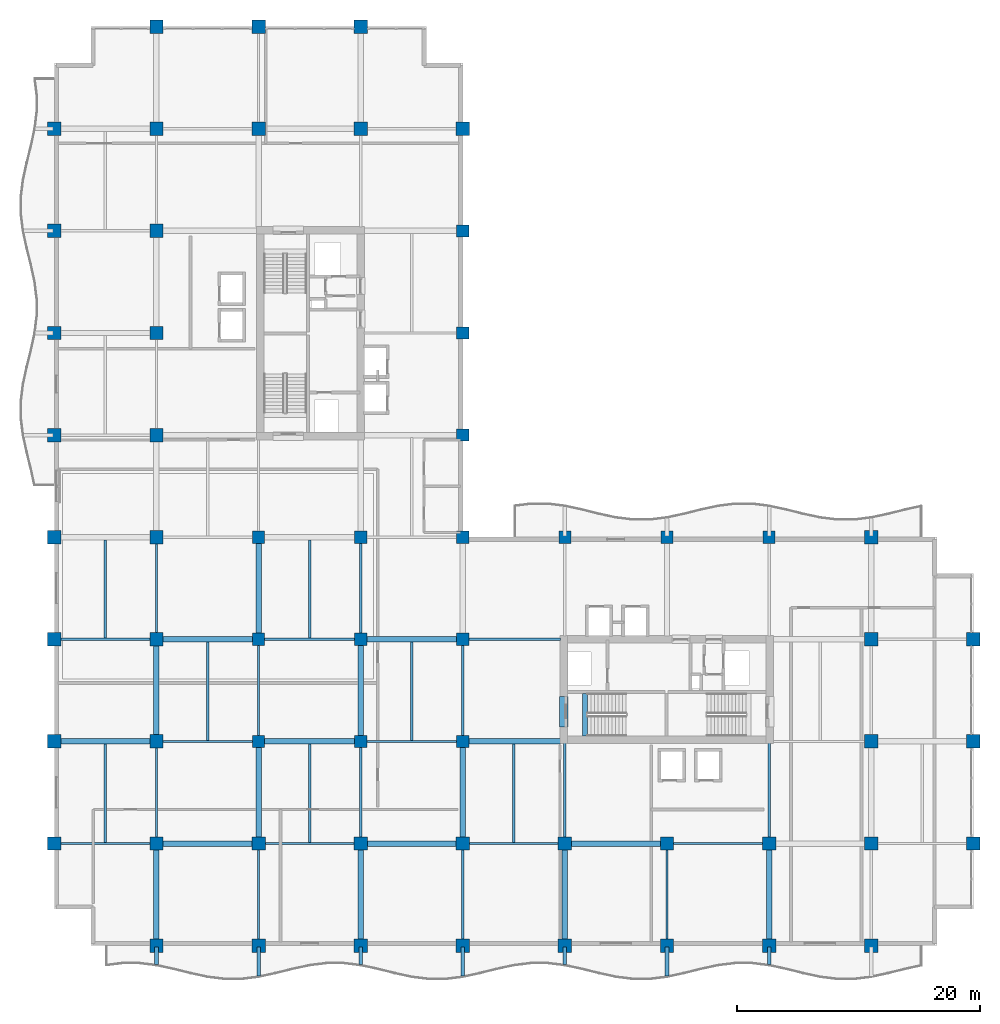
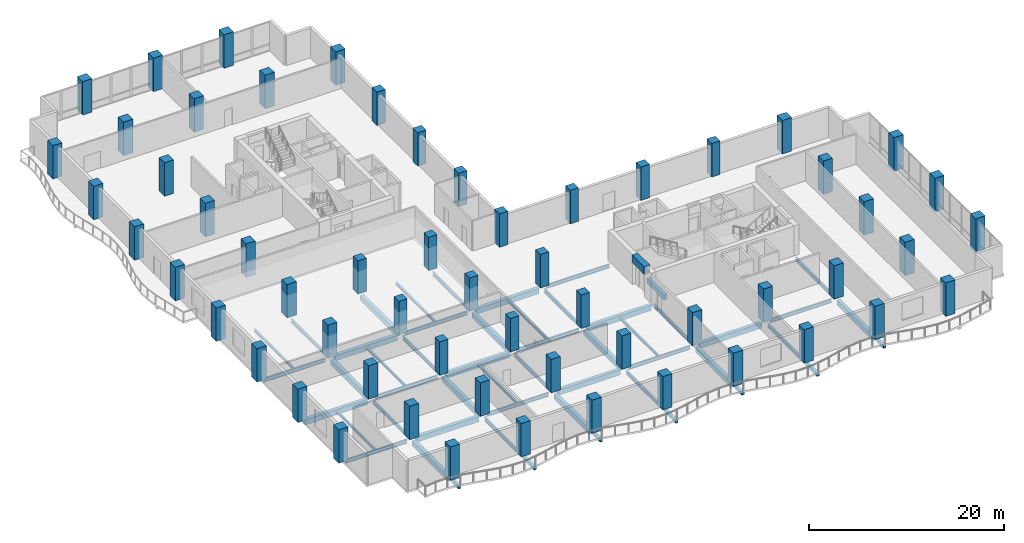
# One storey, part 1 of 21: 58 columns, 53 beams.
"""IFC4 building model written with IfcOpenShell, lengths in metres."""

from ifc_helpers import new_model, si_unit, direction, frame, origin, origin_2d, place, context, subcontext, project, spatial, rectangle, i_section, extrude, material, material_profile, profile_set, type_object, element, save


model = new_model("IFC4")

# Units and contexts
model_context = context("Model", 3, precision=1e-05, world=origin(), true_north=direction((0.0, 1.0)))
body_context = subcontext(model_context, "Body", "Model", "MODEL_VIEW")
ifc_project = project(units=[si_unit("LENGTHUNIT", "METRE"), si_unit("AREAUNIT", "SQUARE_METRE"), si_unit("VOLUMEUNIT", "CUBIC_METRE"), si_unit("PLANEANGLEUNIT", "RADIAN"), si_unit("MASSUNIT", "GRAM", prefix="KILO")], contexts=[model_context])

# Site, building, storey
site_placement = place(None, origin())
site = spatial("IfcSite", under=ifc_project, at=site_placement, CompositionType="ELEMENT")
building_placement = place(site_placement, origin())
building = spatial("IfcBuilding", under=site, at=building_placement, Name="Koriwani Terraces Tower", CompositionType="ELEMENT")
storey_placement = place(building_placement, frame((0.0, 0.0, 224.0)))
storey = spatial("IfcBuildingStorey", under=building, at=storey_placement, Name="L55", CompositionType="ELEMENT", Elevation=224.0)

# Columns
ifc_material_1 = material(Name="Concrete C50/60", Category="concrete")
ifc_material_profile_1 = material_profile(ifc_material_1, rectangle(XDim=1.0, YDim=1.0, at=origin_2d()), Name="Concrete C50/60", Category="LoadBearing")
ifc_profile_set_1 = profile_set([ifc_material_profile_1], Name="Concrete C50/60")
column_type_1 = type_object("IfcColumnType", Name="COL_RC_1000X1000", PredefinedType="COLUMN", material=ifc_profile_set_1)
for number, where, z_axis, x_axis, name in (
    (1, (16.800048828125, 16.800048828125, 0.0), (0.0, 0.0, 1.0), (1.0, 0.0, 0.0), "L55 Column 3/C"),
    (2, (16.800048828125, 25.199951171875, 0.0), (0.0, 0.0, 1.0), (1.0, 0.0, 0.0), "L55 Column 3/D"),
    (3, (16.800048828125, 33.60009765625, 0.0), (0.0, 0.0, 1.0), (1.0, 0.0, 0.0), "L55 Column 3/E"),
    (4, (25.199951171875, 16.800048828125, 0.0), (0.0, 0.0, 1.0), (1.0, 0.0, 0.0), "L55 Column 4/C"),
    (5, (25.199951171875, 25.199951171875, 0.0), (0.0, 0.0, 1.0), (1.0, 0.0, 0.0), "L55 Column 4/D"),
    (6, (25.199951171875, 33.60009765625, 0.0), (0.0, 0.0, 1.0), (1.0, 0.0, 0.0), "L55 Column 4/E"),
    (7, (33.60009765625, 16.800048828125, 0.0), (0.0, 0.0, 1.0), (1.0, 0.0, 0.0), "L55 Column 5/C"),
    (8, (33.60009765625, 25.199951171875, 0.0), (0.0, 0.0, 1.0), (1.0, 0.0, 0.0), "L55 Column 5/D"),
    (9, (33.60009765625, 33.60009765625, 0.0), (0.0, 0.0, 1.0), (1.0, 0.0, 0.0), "L55 Column 5/E"),
    (10, (33.60009765625, 42.0, 0.0), (0.0, 0.0, 1.0), (1.0, 0.0, 0.0), "L55 Column 5/F"),
    (11, (33.60009765625, 50.39990234375, 0.0), (0.0, 0.0, 1.0), (1.0, 0.0, 0.0), "L55 Column 5/G"),
    (12, (33.60009765625, 58.800048828125, 0.0), (0.0, 0.0, 1.0), (1.0, 0.0, 0.0), "L55 Column 5/H"),
    (13, (42.0, 33.60009765625, 0.0), (0.0, 0.0, 1.0), (1.0, 0.0, 0.0), "L55 Column 6/E"),
    (14, (50.39990234375, 33.60009765625, 0.0), (0.0, 0.0, 1.0), (1.0, 0.0, 0.0), "L55 Column 7/E"),
    (15, (58.800048828125, 33.60009765625, 0.0), (0.0, 0.0, 1.0), (1.0, 0.0, 0.0), "L55 Column 8/E"),
):
    element("IfcColumn", number, at=place(storey_placement, frame(where, z_axis=z_axis, x_axis=x_axis)), inside=storey, type_object=column_type_1, Name=name, PredefinedType="COLUMN", context=body_context, shape_type="SweptSolid", body=[
        extrude(rectangle(XDim=1.0, YDim=1.0, at=origin_2d()), origin(), (0.0, 0.0, 1.0), 4.199951171875),
    ])
ifc_material_profile_2 = material_profile(ifc_material_1, rectangle(XDim=1.10009765625, YDim=1.10009765625, at=origin_2d()), Name="Concrete C50/60", Category="LoadBearing")
ifc_profile_set_2 = profile_set([ifc_material_profile_2], Name="Concrete C50/60")
column_type_2 = type_object("IfcColumnType", Name="COL_RC_1100X1100", PredefinedType="COLUMN", material=ifc_profile_set_2)
for number, where, z_axis, x_axis, name in (
    (16, (0.0, 8.39990234375, 0.0), (0.0, 0.0, 1.0), (1.0, 0.0, 0.0), "L55 Column 1/B"),
    (17, (0.0, 16.800048828125, 0.0), (0.0, 0.0, 1.0), (1.0, 0.0, 0.0), "L55 Column 1/C"),
    (18, (0.0, 25.199951171875, 0.0), (0.0, 0.0, 1.0), (1.0, 0.0, 0.0), "L55 Column 1/D"),
    (19, (0.0, 33.60009765625, 0.0), (0.0, 0.0, 1.0), (1.0, 0.0, 0.0), "L55 Column 1/E"),
    (20, (0.0, 42.0, 0.0), (0.0, 0.0, 1.0), (1.0, 0.0, 0.0), "L55 Column 1/F"),
    (21, (0.0, 50.39990234375, 0.0), (0.0, 0.0, 1.0), (1.0, 0.0, 0.0), "L55 Column 1/G"),
    (22, (0.0, 58.800048828125, 0.0), (0.0, 0.0, 1.0), (1.0, 0.0, 0.0), "L55 Column 1/H"),
    (23, (0.0, 67.199951171875, 0.0), (0.0, 0.0, 1.0), (1.0, 0.0, 0.0), "L55 Column 1/I"),
    (24, (8.39990234375, 0.0, 0.0), (0.0, 0.0, 1.0), (1.0, 0.0, 0.0), "L55 Column 2/A"),
    (25, (8.39990234375, 8.39990234375, 0.0), (0.0, 0.0, 1.0), (1.0, 0.0, 0.0), "L55 Column 2/B"),
    (26, (8.39990234375, 16.800048828125, 0.0), (0.0, 0.0, 1.0), (1.0, 0.0, 0.0), "L55 Column 2/C"),
    (27, (8.39990234375, 25.199951171875, 0.0), (0.0, 0.0, 1.0), (1.0, 0.0, 0.0), "L55 Column 2/D"),
    (28, (8.39990234375, 33.60009765625, 0.0), (0.0, 0.0, 1.0), (1.0, 0.0, 0.0), "L55 Column 2/E"),
    (29, (8.39990234375, 42.0, 0.0), (0.0, 0.0, 1.0), (1.0, 0.0, 0.0), "L55 Column 2/F"),
    (30, (8.39990234375, 50.39990234375, 0.0), (0.0, 0.0, 1.0), (1.0, 0.0, 0.0), "L55 Column 2/G"),
    (31, (8.39990234375, 58.800048828125, 0.0), (0.0, 0.0, 1.0), (1.0, 0.0, 0.0), "L55 Column 2/H"),
    (32, (8.39990234375, 67.199951171875, 0.0), (0.0, 0.0, 1.0), (1.0, 0.0, 0.0), "L55 Column 2/I"),
    (33, (8.39990234375, 75.60009765625, 0.0), (0.0, 0.0, 1.0), (1.0, 0.0, 0.0), "L55 Column 2/J"),
    (34, (16.800048828125, 0.0, 0.0), (0.0, 0.0, 1.0), (1.0, 0.0, 0.0), "L55 Column 3/A"),
    (35, (16.800048828125, 8.39990234375, 0.0), (0.0, 0.0, 1.0), (1.0, 0.0, 0.0), "L55 Column 3/B"),
    (36, (16.800048828125, 67.199951171875, 0.0), (0.0, 0.0, 1.0), (1.0, 0.0, 0.0), "L55 Column 3/I"),
    (37, (16.800048828125, 75.60009765625, 0.0), (0.0, 0.0, 1.0), (1.0, 0.0, 0.0), "L55 Column 3/J"),
    (38, (25.199951171875, 0.0, 0.0), (0.0, 0.0, 1.0), (1.0, 0.0, 0.0), "L55 Column 4/A"),
    (39, (25.199951171875, 8.39990234375, 0.0), (0.0, 0.0, 1.0), (1.0, 0.0, 0.0), "L55 Column 4/B"),
    (40, (25.199951171875, 67.199951171875, 0.0), (0.0, 0.0, 1.0), (1.0, 0.0, 0.0), "L55 Column 4/I"),
    (41, (25.199951171875, 75.60009765625, 0.0), (0.0, 0.0, 1.0), (1.0, 0.0, 0.0), "L55 Column 4/J"),
    (42, (33.60009765625, 0.0, 0.0), (0.0, 0.0, 1.0), (1.0, 0.0, 0.0), "L55 Column 5/A"),
    (43, (33.60009765625, 8.39990234375, 0.0), (0.0, 0.0, 1.0), (1.0, 0.0, 0.0), "L55 Column 5/B"),
    (44, (33.60009765625, 67.199951171875, 0.0), (0.0, 0.0, 1.0), (1.0, 0.0, 0.0), "L55 Column 5/I"),
    (45, (42.0, 0.0, 0.0), (0.0, 0.0, 1.0), (1.0, 0.0, 0.0), "L55 Column 6/A"),
    (46, (42.0, 8.39990234375, 0.0), (0.0, 0.0, 1.0), (1.0, 0.0, 0.0), "L55 Column 6/B"),
    (47, (50.39990234375, 0.0, 0.0), (0.0, 0.0, 1.0), (1.0, 0.0, 0.0), "L55 Column 7/A"),
    (48, (50.39990234375, 8.39990234375, 0.0), (0.0, 0.0, 1.0), (1.0, 0.0, 0.0), "L55 Column 7/B"),
    (49, (58.800048828125, 0.0, 0.0), (0.0, 0.0, 1.0), (1.0, 0.0, 0.0), "L55 Column 8/A"),
    (50, (58.800048828125, 8.39990234375, 0.0), (0.0, 0.0, 1.0), (1.0, 0.0, 0.0), "L55 Column 8/B"),
    (51, (67.199951171875, 0.0, 0.0), (0.0, 0.0, 1.0), (1.0, 0.0, 0.0), "L55 Column 9/A"),
    (52, (67.199951171875, 8.39990234375, 0.0), (0.0, 0.0, 1.0), (1.0, 0.0, 0.0), "L55 Column 9/B"),
    (53, (67.199951171875, 16.800048828125, 0.0), (0.0, 0.0, 1.0), (1.0, 0.0, 0.0), "L55 Column 9/C"),
    (54, (67.199951171875, 25.199951171875, 0.0), (0.0, 0.0, 1.0), (1.0, 0.0, 0.0), "L55 Column 9/D"),
    (55, (67.199951171875, 33.60009765625, 0.0), (0.0, 0.0, 1.0), (1.0, 0.0, 0.0), "L55 Column 9/E"),
    (56, (75.60009765625, 8.39990234375, 0.0), (0.0, 0.0, 1.0), (1.0, 0.0, 0.0), "L55 Column 10/B"),
    (57, (75.60009765625, 16.800048828125, 0.0), (0.0, 0.0, 1.0), (1.0, 0.0, 0.0), "L55 Column 10/C"),
    (58, (75.60009765625, 25.199951171875, 0.0), (0.0, 0.0, 1.0), (1.0, 0.0, 0.0), "L55 Column 10/D"),
):
    element("IfcColumn", number, at=place(storey_placement, frame(where, z_axis=z_axis, x_axis=x_axis)), inside=storey, type_object=column_type_2, Name=name, PredefinedType="COLUMN", context=body_context, shape_type="SweptSolid", body=[
        extrude(rectangle(XDim=1.10009765625, YDim=1.10009765625, at=origin_2d()), origin(), (0.0, 0.0, 1.0), 4.199951171875),
    ])

# Beams
ifc_material_2 = material(Name="Concrete C40/50", Category="concrete")
ifc_material_profile_3 = material_profile(ifc_material_2, rectangle(XDim=0.300048828125, YDim=0.39990234375, at=origin_2d()), Name="Concrete C40/50", Category="LoadBearing")
ifc_profile_set_3 = profile_set([ifc_material_profile_3], Name="Concrete C40/50")
beam_type_1 = type_object("IfcBeamType", Name="BEAM_RC_BALCONY_RIB_300X400", PredefinedType="JOIST", material=ifc_profile_set_3)
beam_1_placement = place(storey_placement, frame((8.39990234375, -1.547607421875, -0.429931640625), z_axis=(0.0, 1.0, 0.0), x_axis=(-1.0, 0.0, 0.0)))
element("IfcBeam", 59, at=beam_1_placement, inside=storey, type_object=beam_type_1, Name="L55 Balcony Bracket Rib S-1", PredefinedType="JOIST", context=body_context, shape_type="SweptSolid", body=[
    extrude(rectangle(XDim=0.300048828125, YDim=0.39990234375, at=origin_2d()), origin(), (0.0, 0.0, 1.0), 1.447509765625),
])
beam_2_placement = place(storey_placement, frame((16.800048828125, -2.502197265625, -0.429931640625), z_axis=(0.0, 1.0, 0.0), x_axis=(-1.0, 0.0, 0.0)))
element("IfcBeam", 60, at=beam_2_placement, inside=storey, type_object=beam_type_1, Name="L55 Balcony Bracket Rib S-2", PredefinedType="JOIST", context=body_context, shape_type="SweptSolid", body=[
    extrude(rectangle(XDim=0.300048828125, YDim=0.39990234375, at=origin_2d()), origin(), (0.0, 0.0, 1.0), 2.402099609375),
])
beam_3_placement = place(storey_placement, frame((25.199951171875, -1.547607421875, -0.429931640625), z_axis=(0.0, 1.0, 0.0), x_axis=(-1.0, 0.0, 0.0)))
element("IfcBeam", 61, at=beam_3_placement, inside=storey, type_object=beam_type_1, Name="L55 Balcony Bracket Rib S-3", PredefinedType="JOIST", context=body_context, shape_type="SweptSolid", body=[
    extrude(rectangle(XDim=0.300048828125, YDim=0.39990234375, at=origin_2d()), origin(), (0.0, 0.0, 1.0), 1.447509765625),
])
beam_4_placement = place(storey_placement, frame((33.60009765625, -2.502197265625, -0.429931640625), z_axis=(0.0, 1.0, 0.0), x_axis=(-1.0, 0.0, 0.0)))
element("IfcBeam", 62, at=beam_4_placement, inside=storey, type_object=beam_type_1, Name="L55 Balcony Bracket Rib S-4", PredefinedType="JOIST", context=body_context, shape_type="SweptSolid", body=[
    extrude(rectangle(XDim=0.300048828125, YDim=0.39990234375, at=origin_2d()), origin(), (0.0, 0.0, 1.0), 2.402099609375),
])
beam_5_placement = place(storey_placement, frame((42.0, -1.547607421875, -0.429931640625), z_axis=(0.0, 1.0, 0.0), x_axis=(-1.0, 0.0, 0.0)))
element("IfcBeam", 63, at=beam_5_placement, inside=storey, type_object=beam_type_1, Name="L55 Balcony Bracket Rib S-5", PredefinedType="JOIST", context=body_context, shape_type="SweptSolid", body=[
    extrude(rectangle(XDim=0.300048828125, YDim=0.39990234375, at=origin_2d()), origin(), (0.0, 0.0, 1.0), 1.447509765625),
])
beam_6_placement = place(storey_placement, frame((50.39990234375, -2.502197265625, -0.429931640625), z_axis=(0.0, 1.0, 0.0), x_axis=(-1.0, 0.0, 0.0)))
element("IfcBeam", 64, at=beam_6_placement, inside=storey, type_object=beam_type_1, Name="L55 Balcony Bracket Rib S-6", PredefinedType="JOIST", context=body_context, shape_type="SweptSolid", body=[
    extrude(rectangle(XDim=0.300048828125, YDim=0.39990234375, at=origin_2d()), origin(), (0.0, 0.0, 1.0), 2.402099609375),
])
beam_7_placement = place(storey_placement, frame((58.800048828125, -1.547607421875, -0.429931640625), z_axis=(0.0, 1.0, 0.0), x_axis=(-1.0, 0.0, 0.0)))
element("IfcBeam", 65, at=beam_7_placement, inside=storey, type_object=beam_type_1, Name="L55 Balcony Bracket Rib S-7", PredefinedType="JOIST", context=body_context, shape_type="SweptSolid", body=[
    extrude(rectangle(XDim=0.300048828125, YDim=0.39990234375, at=origin_2d()), origin(), (0.0, 0.0, 1.0), 1.447509765625),
])
ifc_material_3 = material(Name="Concrete C60/75", Category="concrete")
ifc_material_profile_4 = material_profile(ifc_material_3, rectangle(XDim=0.699951171875, YDim=0.949951171875, at=origin_2d()), Name="Concrete C60/75", Category="LoadBearing")
ifc_profile_set_4 = profile_set([ifc_material_profile_4], Name="Concrete C60/75")
beam_type_2 = type_object("IfcBeamType", Name="BEAM_RC_COUPLING_700X950", PredefinedType="LINTEL", material=ifc_profile_set_4)
beam_8_placement = place(storey_placement, frame((41.89990234375, 18.0, 3.27490234375), z_axis=(0.0, 1.0, 0.0), x_axis=(-1.0, 0.0, 0.0)))
element("IfcBeam", 66, at=beam_8_placement, inside=storey, type_object=beam_type_2, Name="L55 Core Coupling Lintel Beam EW", PredefinedType="LINTEL", context=body_context, shape_type="SweptSolid", body=[
    extrude(rectangle(XDim=0.699951171875, YDim=0.949951171875, at=origin_2d()), origin(), (0.0, 0.0, 1.0), 2.5),
])
ifc_material_profile_5 = material_profile(ifc_material_2, rectangle(XDim=0.39990234375, YDim=0.60009765625, at=origin_2d()), Name="Concrete C40/50", Category="LoadBearing")
ifc_profile_set_5 = profile_set([ifc_material_profile_5], Name="Concrete C40/50")
beam_type_3 = type_object("IfcBeamType", Name="BEAM_RC_GRID_400X600", PredefinedType="BEAM", material=ifc_profile_set_5)
beam_9_placement = place(storey_placement, frame((43.655029296875, 17.25, -0.300048828125), z_axis=(0.0, 1.0, 0.0), x_axis=(-1.0, 0.0, 0.0)))
element("IfcBeam", 67, at=beam_9_placement, inside=storey, type_object=beam_type_3, Name="L55 Stairwell Header Trimmer Beam ST-E1", PredefinedType="BEAM", context=body_context, shape_type="SweptSolid", body=[
    extrude(rectangle(XDim=0.39990234375, YDim=0.60009765625, at=origin_2d()), origin(), (0.0, 0.0, 1.0), 3.5),
])
ifc_material_profile_6 = material_profile(ifc_material_1, rectangle(XDim=0.449951171875, YDim=0.64990234375, at=origin_2d()), Name="Concrete C50/60", Category="LoadBearing")
ifc_profile_set_6 = profile_set([ifc_material_profile_6], Name="Concrete C50/60")
beam_type_4 = type_object("IfcBeamType", Name="BEAM_RC_GRID_450X650", PredefinedType="BEAM", material=ifc_profile_set_6)
for number, where, z_axis, x_axis, name in (
    (68, (8.929931640625, 8.39990234375, -0.554931640625), (1.0, 0.0, 0.0), (0.0, 1.0, 0.0), "L55 Grid Beam B (8.4-16.8m)"),
    (69, (25.72998046875, 8.39990234375, -0.554931640625), (1.0, 0.0, 0.0), (0.0, 1.0, 0.0), "L55 Grid Beam B (25.2-33.6m)"),
    (70, (42.530029296875, 8.39990234375, -0.554931640625), (1.0, 0.0, 0.0), (0.0, 1.0, 0.0), "L55 Grid Beam B (42.0-50.4m)"),
    (71, (0.530029296875, 16.800048828125, -0.554931640625), (1.0, 0.0, 0.0), (0.0, 1.0, 0.0), "L55 Grid Beam C (0.0-8.4m)"),
):
    element("IfcBeam", number, at=place(storey_placement, frame(where, z_axis=z_axis, x_axis=x_axis)), inside=storey, type_object=beam_type_4, Name=name, PredefinedType="BEAM", context=body_context, shape_type="SweptSolid", body=[
        extrude(rectangle(XDim=0.449951171875, YDim=0.64990234375, at=origin_2d()), origin(), (0.0, 0.0, 1.0), 7.340087890625),
    ])
beam_10_placement = place(storey_placement, frame((17.280029296875, 16.800048828125, -0.554931640625), z_axis=(1.0, 0.0, 0.0), x_axis=(0.0, 1.0, 0.0)))
element("IfcBeam", 72, at=beam_10_placement, inside=storey, type_object=beam_type_4, Name="L55 Grid Beam C (16.8-25.2m)", PredefinedType="BEAM", context=body_context, shape_type="SweptSolid", body=[
    extrude(rectangle(XDim=0.449951171875, YDim=0.64990234375, at=origin_2d()), origin(), (0.0, 0.0, 1.0), 7.43994140625),
])
beam_11_placement = place(storey_placement, frame((34.080078125, 16.800048828125, -0.554931640625), z_axis=(1.0, 0.0, 0.0), x_axis=(0.0, 1.0, 0.0)))
element("IfcBeam", 73, at=beam_11_placement, inside=storey, type_object=beam_type_4, Name="L55 Grid Beam C (33.6-42.0m)", PredefinedType="BEAM", context=body_context, shape_type="SweptSolid", body=[
    extrude(rectangle(XDim=0.449951171875, YDim=0.64990234375, at=origin_2d()), origin(), (0.0, 0.0, 1.0), 7.5400390625),
])
beam_12_placement = place(storey_placement, frame((8.929931640625, 25.199951171875, -0.554931640625), z_axis=(1.0, 0.0, 0.0), x_axis=(0.0, 1.0, 0.0)))
element("IfcBeam", 74, at=beam_12_placement, inside=storey, type_object=beam_type_4, Name="L55 Grid Beam D (8.4-16.8m)", PredefinedType="BEAM", context=body_context, shape_type="SweptSolid", body=[
    extrude(rectangle(XDim=0.449951171875, YDim=0.64990234375, at=origin_2d()), origin(), (0.0, 0.0, 1.0), 7.39013671875),
])
beam_13_placement = place(storey_placement, frame((25.679931640625, 25.199951171875, -0.554931640625), z_axis=(1.0, 0.0, 0.0), x_axis=(0.0, 1.0, 0.0)))
element("IfcBeam", 75, at=beam_13_placement, inside=storey, type_object=beam_type_4, Name="L55 Grid Beam D (25.2-33.6m)", PredefinedType="BEAM", context=body_context, shape_type="SweptSolid", body=[
    extrude(rectangle(XDim=0.449951171875, YDim=0.64990234375, at=origin_2d()), origin(), (0.0, 0.0, 1.0), 7.440185546875),
])
beam_14_placement = place(storey_placement, frame((8.39990234375, 0.530029296875, -0.554931640625), z_axis=(0.0, 1.0, 0.0), x_axis=(-1.0, 0.0, 0.0)))
element("IfcBeam", 76, at=beam_14_placement, inside=storey, type_object=beam_type_4, Name="L55 Grid Beam 2 (0.0-8.4m)", PredefinedType="BEAM", context=body_context, shape_type="SweptSolid", body=[
    extrude(rectangle(XDim=0.449951171875, YDim=0.64990234375, at=origin_2d()), origin(), (0.0, 0.0, 1.0), 7.340087890625),
])
beam_15_placement = place(storey_placement, frame((8.39990234375, 17.330078125, -0.554931640625), z_axis=(0.0, 1.0, 0.0), x_axis=(-1.0, 0.0, 0.0)))
element("IfcBeam", 77, at=beam_15_placement, inside=storey, type_object=beam_type_4, Name="L55 Grid Beam 2 (16.8-25.2m)", PredefinedType="BEAM", context=body_context, shape_type="SweptSolid", body=[
    extrude(rectangle(XDim=0.449951171875, YDim=0.64990234375, at=origin_2d()), origin(), (0.0, 0.0, 1.0), 7.33984375),
])
beam_16_placement = place(storey_placement, frame((16.800048828125, 8.929931640625, -0.554931640625), z_axis=(0.0, 1.0, 0.0), x_axis=(-1.0, 0.0, 0.0)))
element("IfcBeam", 78, at=beam_16_placement, inside=storey, type_object=beam_type_4, Name="L55 Grid Beam 3 (8.4-16.8m)", PredefinedType="BEAM", context=body_context, shape_type="SweptSolid", body=[
    extrude(rectangle(XDim=0.449951171875, YDim=0.64990234375, at=origin_2d()), origin(), (0.0, 0.0, 1.0), 7.39013671875),
])
beam_17_placement = place(storey_placement, frame((16.800048828125, 25.679931640625, -0.554931640625), z_axis=(0.0, 1.0, 0.0), x_axis=(-1.0, 0.0, 0.0)))
element("IfcBeam", 79, at=beam_17_placement, inside=storey, type_object=beam_type_4, Name="L55 Grid Beam 3 (25.2-33.6m)", PredefinedType="BEAM", context=body_context, shape_type="SweptSolid", body=[
    extrude(rectangle(XDim=0.449951171875, YDim=0.64990234375, at=origin_2d()), origin(), (0.0, 0.0, 1.0), 7.440185546875),
])
beam_18_placement = place(storey_placement, frame((25.199951171875, 0.530029296875, -0.554931640625), z_axis=(0.0, 1.0, 0.0), x_axis=(-1.0, 0.0, 0.0)))
element("IfcBeam", 80, at=beam_18_placement, inside=storey, type_object=beam_type_4, Name="L55 Grid Beam 4 (0.0-8.4m)", PredefinedType="BEAM", context=body_context, shape_type="SweptSolid", body=[
    extrude(rectangle(XDim=0.449951171875, YDim=0.64990234375, at=origin_2d()), origin(), (0.0, 0.0, 1.0), 7.340087890625),
])
beam_19_placement = place(storey_placement, frame((25.199951171875, 17.280029296875, -0.554931640625), z_axis=(0.0, 1.0, 0.0), x_axis=(-1.0, 0.0, 0.0)))
element("IfcBeam", 81, at=beam_19_placement, inside=storey, type_object=beam_type_4, Name="L55 Grid Beam 4 (16.8-25.2m)", PredefinedType="BEAM", context=body_context, shape_type="SweptSolid", body=[
    extrude(rectangle(XDim=0.449951171875, YDim=0.64990234375, at=origin_2d()), origin(), (0.0, 0.0, 1.0), 7.43994140625),
])
beam_20_placement = place(storey_placement, frame((33.60009765625, 8.929931640625, -0.554931640625), z_axis=(0.0, 1.0, 0.0), x_axis=(-1.0, 0.0, 0.0)))
element("IfcBeam", 82, at=beam_20_placement, inside=storey, type_object=beam_type_4, Name="L55 Grid Beam 5 (8.4-16.8m)", PredefinedType="BEAM", context=body_context, shape_type="SweptSolid", body=[
    extrude(rectangle(XDim=0.449951171875, YDim=0.64990234375, at=origin_2d()), origin(), (0.0, 0.0, 1.0), 7.39013671875),
])
for number, where, z_axis, x_axis, name in (
    (83, (42.0, 0.530029296875, -0.554931640625), (0.0, 1.0, 0.0), (-1.0, 0.0, 0.0), "L55 Grid Beam 6 (0.0-8.4m)"),
    (84, (58.800048828125, 0.530029296875, -0.554931640625), (0.0, 1.0, 0.0), (-1.0, 0.0, 0.0), "L55 Grid Beam 8 (0.0-8.4m)"),
):
    element("IfcBeam", number, at=place(storey_placement, frame(where, z_axis=z_axis, x_axis=x_axis)), inside=storey, type_object=beam_type_4, Name=name, PredefinedType="BEAM", context=body_context, shape_type="SweptSolid", body=[
        extrude(rectangle(XDim=0.449951171875, YDim=0.64990234375, at=origin_2d()), origin(), (0.0, 0.0, 1.0), 7.340087890625),
    ])
ifc_material_4 = material(Name="Steel ASTM A572 Grade 50", Category="steel")
ifc_material_profile_7 = material_profile(ifc_material_4, i_section(OverallWidth=0.205078125, OverallDepth=0.31005859375, WebThickness=0.009521484375, FlangeThickness=0.016357421875, at=origin_2d()), Name="Steel ASTM A572 Grade 50", Category="LoadBearing")
ifc_profile_set_7 = profile_set([ifc_material_profile_7], Name="Steel ASTM A572 Grade 50")
beam_type_5 = type_object("IfcBeamType", Name="STEEL_BEAM_W310X74", PredefinedType="JOIST", material=ifc_profile_set_7)
beam_21_placement = place(storey_placement, frame((4.199951171875, 8.486083984375, -0.385009765625), z_axis=(0.0, 1.0, 0.0), x_axis=(-1.0, 0.0, 0.0)))
element("IfcBeam", 85, at=beam_21_placement, inside=storey, type_object=beam_type_5, Name="L55 Secondary Steel Floor Joist X=4.2m", PredefinedType="JOIST", context=body_context, shape_type="SweptSolid", body=[
    extrude(i_section(OverallWidth=0.205078125, OverallDepth=0.31005859375, WebThickness=0.009521484375, FlangeThickness=0.016357421875, at=origin_2d()), origin(), (0.0, 0.0, 1.0), 8.098876953125),
])
for number, where, z_axis, x_axis, name in (
    (86, (4.199951171875, 25.285888671875, -0.385009765625), (0.0, 1.0, 0.0), (-1.0, 0.0, 0.0), "L55 Secondary Steel Floor Joist X=4.2m"),
    (87, (12.60009765625, 16.885986328125, -0.385009765625), (0.0, 1.0, 0.0), (-1.0, 0.0, 0.0), "L55 Secondary Steel Floor Joist X=12.6m"),
):
    element("IfcBeam", number, at=place(storey_placement, frame(where, z_axis=z_axis, x_axis=x_axis)), inside=storey, type_object=beam_type_5, Name=name, PredefinedType="JOIST", context=body_context, shape_type="SweptSolid", body=[
        extrude(i_section(OverallWidth=0.205078125, OverallDepth=0.31005859375, WebThickness=0.009521484375, FlangeThickness=0.016357421875, at=origin_2d()), origin(), (0.0, 0.0, 1.0), 8.09912109375),
    ])
beam_22_placement = place(storey_placement, frame((21.0, 8.486083984375, -0.385009765625), z_axis=(0.0, 1.0, 0.0), x_axis=(-1.0, 0.0, 0.0)))
element("IfcBeam", 88, at=beam_22_placement, inside=storey, type_object=beam_type_5, Name="L55 Secondary Steel Floor Joist X=21.0m", PredefinedType="JOIST", context=body_context, shape_type="SweptSolid", body=[
    extrude(i_section(OverallWidth=0.205078125, OverallDepth=0.31005859375, WebThickness=0.009521484375, FlangeThickness=0.016357421875, at=origin_2d()), origin(), (0.0, 0.0, 1.0), 8.098876953125),
])
for number, where, z_axis, x_axis, name in (
    (89, (21.0, 25.285888671875, -0.385009765625), (0.0, 1.0, 0.0), (-1.0, 0.0, 0.0), "L55 Secondary Steel Floor Joist X=21.0m"),
    (90, (29.39990234375, 16.885986328125, -0.385009765625), (0.0, 1.0, 0.0), (-1.0, 0.0, 0.0), "L55 Secondary Steel Floor Joist X=29.4m"),
):
    element("IfcBeam", number, at=place(storey_placement, frame(where, z_axis=z_axis, x_axis=x_axis)), inside=storey, type_object=beam_type_5, Name=name, PredefinedType="JOIST", context=body_context, shape_type="SweptSolid", body=[
        extrude(i_section(OverallWidth=0.205078125, OverallDepth=0.31005859375, WebThickness=0.009521484375, FlangeThickness=0.016357421875, at=origin_2d()), origin(), (0.0, 0.0, 1.0), 8.09912109375),
    ])
beam_23_placement = place(storey_placement, frame((37.800048828125, 8.486083984375, -0.385009765625), z_axis=(0.0, 1.0, 0.0), x_axis=(-1.0, 0.0, 0.0)))
element("IfcBeam", 91, at=beam_23_placement, inside=storey, type_object=beam_type_5, Name="L55 Secondary Steel Floor Joist X=37.8m", PredefinedType="JOIST", context=body_context, shape_type="SweptSolid", body=[
    extrude(i_section(OverallWidth=0.205078125, OverallDepth=0.31005859375, WebThickness=0.009521484375, FlangeThickness=0.016357421875, at=origin_2d()), origin(), (0.0, 0.0, 1.0), 8.098876953125),
])
ifc_material_profile_8 = material_profile(ifc_material_4, i_section(OverallWidth=0.19189453125, OverallDepth=0.462890625, WebThickness=0.010498046875, FlangeThickness=0.01611328125, at=origin_2d()), Name="Steel ASTM A572 Grade 50", Category="LoadBearing")
ifc_profile_set_8 = profile_set([ifc_material_profile_8], Name="Steel ASTM A572 Grade 50")
beam_type_6 = type_object("IfcBeamType", Name="STEEL_BEAM_W460X89", PredefinedType="BEAM", material=ifc_profile_set_8)
beam_24_placement = place(storey_placement, frame((0.530029296875, 8.39990234375, -0.46142578125), z_axis=(1.0, 0.0, 0.0), x_axis=(0.0, 1.0, 0.0)))
element("IfcBeam", 92, at=beam_24_placement, inside=storey, type_object=beam_type_6, Name="L55 Grid Beam B (0.0-8.4m)", PredefinedType="BEAM", context=body_context, shape_type="SweptSolid", body=[
    extrude(i_section(OverallWidth=0.19189453125, OverallDepth=0.462890625, WebThickness=0.010498046875, FlangeThickness=0.01611328125, at=origin_2d()), origin(), (0.0, 0.0, 1.0), 7.340087890625),
])
beam_25_placement = place(storey_placement, frame((17.330078125, 8.39990234375, -0.46142578125), z_axis=(1.0, 0.0, 0.0), x_axis=(0.0, 1.0, 0.0)))
element("IfcBeam", 93, at=beam_25_placement, inside=storey, type_object=beam_type_6, Name="L55 Grid Beam B (16.8-25.2m)", PredefinedType="BEAM", context=body_context, shape_type="SweptSolid", body=[
    extrude(i_section(OverallWidth=0.19189453125, OverallDepth=0.462890625, WebThickness=0.010498046875, FlangeThickness=0.01611328125, at=origin_2d()), origin(), (0.0, 0.0, 1.0), 7.33984375),
])
for number, where, z_axis, x_axis, name in (
    (94, (34.1298828125, 8.39990234375, -0.46142578125), (1.0, 0.0, 0.0), (0.0, 1.0, 0.0), "L55 Grid Beam B (33.6-42.0m)"),
    (95, (50.929931640625, 8.39990234375, -0.46142578125), (1.0, 0.0, 0.0), (0.0, 1.0, 0.0), "L55 Grid Beam B (50.4-58.8m)"),
):
    element("IfcBeam", number, at=place(storey_placement, frame(where, z_axis=z_axis, x_axis=x_axis)), inside=storey, type_object=beam_type_6, Name=name, PredefinedType="BEAM", context=body_context, shape_type="SweptSolid", body=[
        extrude(i_section(OverallWidth=0.19189453125, OverallDepth=0.462890625, WebThickness=0.010498046875, FlangeThickness=0.01611328125, at=origin_2d()), origin(), (0.0, 0.0, 1.0), 7.340087890625),
    ])
beam_26_placement = place(storey_placement, frame((8.929931640625, 16.800048828125, -0.46142578125), z_axis=(1.0, 0.0, 0.0), x_axis=(0.0, 1.0, 0.0)))
element("IfcBeam", 96, at=beam_26_placement, inside=storey, type_object=beam_type_6, Name="L55 Grid Beam C (8.4-16.8m)", PredefinedType="BEAM", context=body_context, shape_type="SweptSolid", body=[
    extrude(i_section(OverallWidth=0.19189453125, OverallDepth=0.462890625, WebThickness=0.010498046875, FlangeThickness=0.01611328125, at=origin_2d()), origin(), (0.0, 0.0, 1.0), 7.39013671875),
])
beam_27_placement = place(storey_placement, frame((25.679931640625, 16.800048828125, -0.46142578125), z_axis=(1.0, 0.0, 0.0), x_axis=(0.0, 1.0, 0.0)))
element("IfcBeam", 97, at=beam_27_placement, inside=storey, type_object=beam_type_6, Name="L55 Grid Beam C (25.2-33.6m)", PredefinedType="BEAM", context=body_context, shape_type="SweptSolid", body=[
    extrude(i_section(OverallWidth=0.19189453125, OverallDepth=0.462890625, WebThickness=0.010498046875, FlangeThickness=0.01611328125, at=origin_2d()), origin(), (0.0, 0.0, 1.0), 7.440185546875),
])
beam_28_placement = place(storey_placement, frame((0.530029296875, 25.199951171875, -0.46142578125), z_axis=(1.0, 0.0, 0.0), x_axis=(0.0, 1.0, 0.0)))
element("IfcBeam", 98, at=beam_28_placement, inside=storey, type_object=beam_type_6, Name="L55 Grid Beam D (0.0-8.4m)", PredefinedType="BEAM", context=body_context, shape_type="SweptSolid", body=[
    extrude(i_section(OverallWidth=0.19189453125, OverallDepth=0.462890625, WebThickness=0.010498046875, FlangeThickness=0.01611328125, at=origin_2d()), origin(), (0.0, 0.0, 1.0), 7.340087890625),
])
beam_29_placement = place(storey_placement, frame((17.280029296875, 25.199951171875, -0.46142578125), z_axis=(1.0, 0.0, 0.0), x_axis=(0.0, 1.0, 0.0)))
element("IfcBeam", 99, at=beam_29_placement, inside=storey, type_object=beam_type_6, Name="L55 Grid Beam D (16.8-25.2m)", PredefinedType="BEAM", context=body_context, shape_type="SweptSolid", body=[
    extrude(i_section(OverallWidth=0.19189453125, OverallDepth=0.462890625, WebThickness=0.010498046875, FlangeThickness=0.01611328125, at=origin_2d()), origin(), (0.0, 0.0, 1.0), 7.43994140625),
])
beam_30_placement = place(storey_placement, frame((34.080078125, 25.199951171875, -0.46142578125), z_axis=(1.0, 0.0, 0.0), x_axis=(0.0, 1.0, 0.0)))
element("IfcBeam", 100, at=beam_30_placement, inside=storey, type_object=beam_type_6, Name="L55 Grid Beam D (33.6-42.0m)", PredefinedType="BEAM", context=body_context, shape_type="SweptSolid", body=[
    extrude(i_section(OverallWidth=0.19189453125, OverallDepth=0.462890625, WebThickness=0.010498046875, FlangeThickness=0.01611328125, at=origin_2d()), origin(), (0.0, 0.0, 1.0), 7.5400390625),
])
for number, where, z_axis, x_axis, name in (
    (101, (8.39990234375, 8.929931640625, -0.46142578125), (0.0, 1.0, 0.0), (-1.0, 0.0, 0.0), "L55 Grid Beam 2 (8.4-16.8m)"),
    (102, (8.39990234375, 25.72998046875, -0.46142578125), (0.0, 1.0, 0.0), (-1.0, 0.0, 0.0), "L55 Grid Beam 2 (25.2-33.6m)"),
    (103, (16.800048828125, 0.530029296875, -0.46142578125), (0.0, 1.0, 0.0), (-1.0, 0.0, 0.0), "L55 Grid Beam 3 (0.0-8.4m)"),
):
    element("IfcBeam", number, at=place(storey_placement, frame(where, z_axis=z_axis, x_axis=x_axis)), inside=storey, type_object=beam_type_6, Name=name, PredefinedType="BEAM", context=body_context, shape_type="SweptSolid", body=[
        extrude(i_section(OverallWidth=0.19189453125, OverallDepth=0.462890625, WebThickness=0.010498046875, FlangeThickness=0.01611328125, at=origin_2d()), origin(), (0.0, 0.0, 1.0), 7.340087890625),
    ])
beam_31_placement = place(storey_placement, frame((16.800048828125, 17.280029296875, -0.46142578125), z_axis=(0.0, 1.0, 0.0), x_axis=(-1.0, 0.0, 0.0)))
element("IfcBeam", 104, at=beam_31_placement, inside=storey, type_object=beam_type_6, Name="L55 Grid Beam 3 (16.8-25.2m)", PredefinedType="BEAM", context=body_context, shape_type="SweptSolid", body=[
    extrude(i_section(OverallWidth=0.19189453125, OverallDepth=0.462890625, WebThickness=0.010498046875, FlangeThickness=0.01611328125, at=origin_2d()), origin(), (0.0, 0.0, 1.0), 7.43994140625),
])
beam_32_placement = place(storey_placement, frame((25.199951171875, 8.929931640625, -0.46142578125), z_axis=(0.0, 1.0, 0.0), x_axis=(-1.0, 0.0, 0.0)))
element("IfcBeam", 105, at=beam_32_placement, inside=storey, type_object=beam_type_6, Name="L55 Grid Beam 4 (8.4-16.8m)", PredefinedType="BEAM", context=body_context, shape_type="SweptSolid", body=[
    extrude(i_section(OverallWidth=0.19189453125, OverallDepth=0.462890625, WebThickness=0.010498046875, FlangeThickness=0.01611328125, at=origin_2d()), origin(), (0.0, 0.0, 1.0), 7.39013671875),
])
beam_33_placement = place(storey_placement, frame((25.199951171875, 25.679931640625, -0.46142578125), z_axis=(0.0, 1.0, 0.0), x_axis=(-1.0, 0.0, 0.0)))
element("IfcBeam", 106, at=beam_33_placement, inside=storey, type_object=beam_type_6, Name="L55 Grid Beam 4 (25.2-33.6m)", PredefinedType="BEAM", context=body_context, shape_type="SweptSolid", body=[
    extrude(i_section(OverallWidth=0.19189453125, OverallDepth=0.462890625, WebThickness=0.010498046875, FlangeThickness=0.01611328125, at=origin_2d()), origin(), (0.0, 0.0, 1.0), 7.440185546875),
])
beam_34_placement = place(storey_placement, frame((33.60009765625, 0.530029296875, -0.46142578125), z_axis=(0.0, 1.0, 0.0), x_axis=(-1.0, 0.0, 0.0)))
element("IfcBeam", 107, at=beam_34_placement, inside=storey, type_object=beam_type_6, Name="L55 Grid Beam 5 (0.0-8.4m)", PredefinedType="BEAM", context=body_context, shape_type="SweptSolid", body=[
    extrude(i_section(OverallWidth=0.19189453125, OverallDepth=0.462890625, WebThickness=0.010498046875, FlangeThickness=0.01611328125, at=origin_2d()), origin(), (0.0, 0.0, 1.0), 7.340087890625),
])
beam_35_placement = place(storey_placement, frame((33.60009765625, 17.280029296875, -0.46142578125), z_axis=(0.0, 1.0, 0.0), x_axis=(-1.0, 0.0, 0.0)))
element("IfcBeam", 108, at=beam_35_placement, inside=storey, type_object=beam_type_6, Name="L55 Grid Beam 5 (16.8-25.2m)", PredefinedType="BEAM", context=body_context, shape_type="SweptSolid", body=[
    extrude(i_section(OverallWidth=0.19189453125, OverallDepth=0.462890625, WebThickness=0.010498046875, FlangeThickness=0.01611328125, at=origin_2d()), origin(), (0.0, 0.0, 1.0), 7.43994140625),
])
beam_36_placement = place(storey_placement, frame((42.0, 8.929931640625, -0.46142578125), z_axis=(0.0, 1.0, 0.0), x_axis=(-1.0, 0.0, 0.0)))
element("IfcBeam", 109, at=beam_36_placement, inside=storey, type_object=beam_type_6, Name="L55 Grid Beam 6 (8.4-16.8m)", PredefinedType="BEAM", context=body_context, shape_type="SweptSolid", body=[
    extrude(i_section(OverallWidth=0.19189453125, OverallDepth=0.462890625, WebThickness=0.010498046875, FlangeThickness=0.01611328125, at=origin_2d()), origin(), (0.0, 0.0, 1.0), 7.739990234375),
])
beam_37_placement = place(storey_placement, frame((50.39990234375, 0.530029296875, -0.46142578125), z_axis=(0.0, 1.0, 0.0), x_axis=(-1.0, 0.0, 0.0)))
element("IfcBeam", 110, at=beam_37_placement, inside=storey, type_object=beam_type_6, Name="L55 Grid Beam 7 (0.0-8.4m)", PredefinedType="BEAM", context=body_context, shape_type="SweptSolid", body=[
    extrude(i_section(OverallWidth=0.19189453125, OverallDepth=0.462890625, WebThickness=0.010498046875, FlangeThickness=0.01611328125, at=origin_2d()), origin(), (0.0, 0.0, 1.0), 7.340087890625),
])
beam_38_placement = place(storey_placement, frame((58.800048828125, 8.929931640625, -0.46142578125), z_axis=(0.0, 1.0, 0.0), x_axis=(-1.0, 0.0, 0.0)))
element("IfcBeam", 111, at=beam_38_placement, inside=storey, type_object=beam_type_6, Name="L55 Grid Beam 8 (8.4-16.8m)", PredefinedType="BEAM", context=body_context, shape_type="SweptSolid", body=[
    extrude(i_section(OverallWidth=0.19189453125, OverallDepth=0.462890625, WebThickness=0.010498046875, FlangeThickness=0.01611328125, at=origin_2d()), origin(), (0.0, 0.0, 1.0), 7.739990234375),
])

save(model, "model.ifc")
